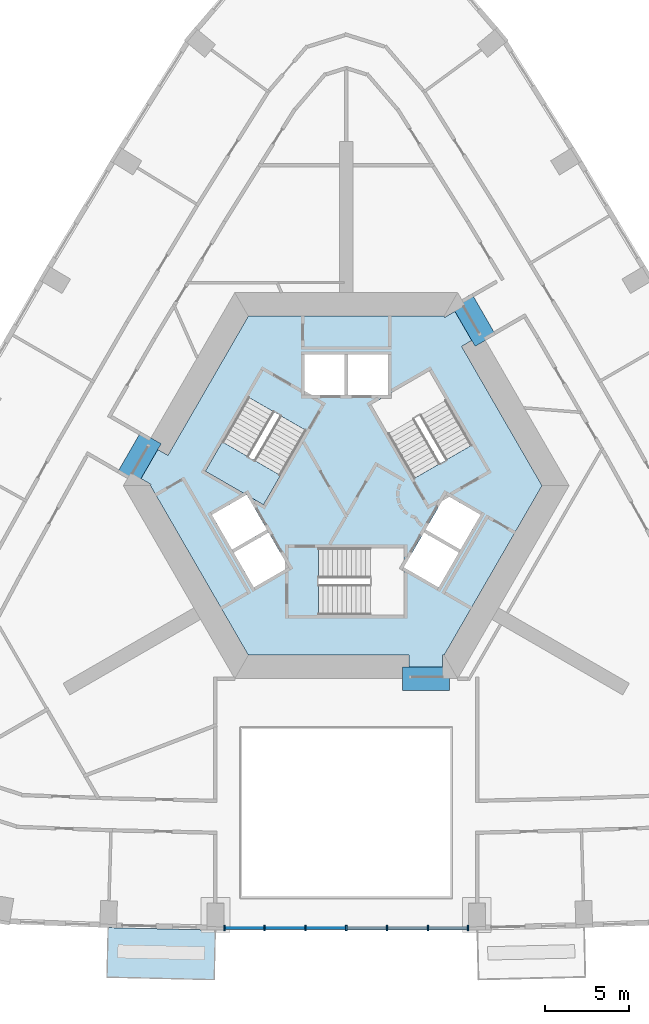
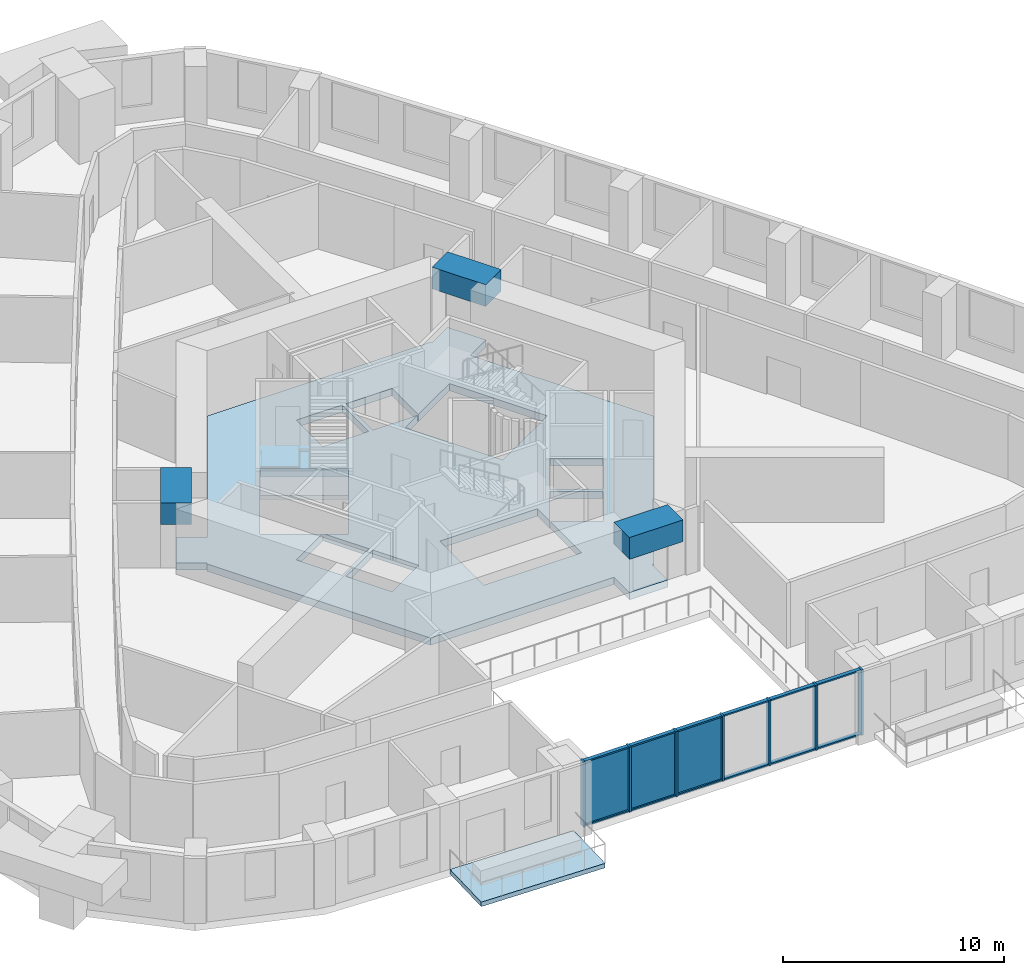
# One storey, part 2 of 13: 19 members, 3 beams, 3 plates, 3 slabs, 2 elements without a shape of their own.
"""IFC4 building model written with IfcOpenShell, lengths in metres."""

import ifcopenshell
import ifcopenshell.guid

model = None  # the IFC model being written
_history = None  # IfcOwnerHistory: only IFC2X3 demands one
_inside = {}  # id of a spatial element -> (the spatial element, [elements in it])
_under = {}  # id of a project, library or spatial element -> (it, [spatial elements below it])
_declared = {}  # id of a project -> (the project, [libraries it declares])
_typed = {}  # id of a type object -> (the type object, [elements of that type])
_made_of = {}  # id of a material, layer set ... -> (it, [elements and type objects made of it])


def new_model(schema):
    """Start an empty IFC model of exactly this schema.

    Asked for "IFC4X3", IfcOpenShell would pick the latest addendum, in which some entities
    have other attributes; the version numbers below select the first issue.
    IFC2X3 requires an IfcOwnerHistory on every rooted entity: one is made here for all.
    """
    global model, _history
    if schema == "IFC4X3":
        model = ifcopenshell.file(schema_version=(4, 3, 0, 0))
    else:
        model = ifcopenshell.file(schema=schema)
    _inside.clear()
    _under.clear()
    _declared.clear()
    _typed.clear()
    _made_of.clear()
    _history = None
    if model.schema == "IFC2X3":
        org = make("IfcOrganization", Name="unknown")
        user = make(
            "IfcPersonAndOrganization",
            ThePerson=make("IfcPerson", FamilyName="unknown"),
            TheOrganization=org,
        )
        app = make(
            "IfcApplication",
            ApplicationDeveloper=org,
            Version="unknown",
            ApplicationFullName="unknown",
            ApplicationIdentifier="unknown",
        )
        _history = make(
            "IfcOwnerHistory",
            OwningUser=user,
            OwningApplication=app,
            ChangeAction="ADDED",
            CreationDate=0,
        )
    return model


def make(cls, **values):
    """One entity of the class cls with the attributes given. An attribute that is None is left unset."""
    return model.create_entity(
        cls, **{name: value for name, value in values.items() if value is not None}
    )


def rooted(cls, **values):
    """An entity with a GlobalId (a new one), such as an element, a storey or a relation."""
    return make(cls, GlobalId=ifcopenshell.guid.new(), OwnerHistory=_history, **values)


def si_unit(unit_type, name, prefix=None):
    """IfcSIUnit, for example si_unit("LENGTHUNIT", "METRE", prefix="MILLI")."""
    return make("IfcSIUnit", UnitType=unit_type, Prefix=prefix, Name=name)


def assignment(units):
    """IfcUnitAssignment: the units of a project."""
    return None if units is None else make("IfcUnitAssignment", Units=units)


def point(xyz):
    """IfcCartesianPoint."""
    return None if xyz is None else make("IfcCartesianPoint", Coordinates=xyz)


def direction(xyz):
    """IfcDirection."""
    return None if xyz is None else make("IfcDirection", DirectionRatios=xyz)


def frame(location, z_axis=None, x_axis=None):
    """IfcAxis2Placement3D, a coordinate frame: its origin and axes. An axis left out is left unset."""
    return make(
        "IfcAxis2Placement3D",
        Location=point(location),
        Axis=direction(z_axis),
        RefDirection=direction(x_axis),
    )


def frame_2d(location, x_axis=None):
    """IfcAxis2Placement2D, a coordinate frame in the plane: its origin and x axis."""
    return make(
        "IfcAxis2Placement2D", Location=point(location), RefDirection=direction(x_axis)
    )


def origin():
    """The frame at (0, 0, 0) with its axes left unset."""
    return frame((0.0, 0.0, 0.0))


def origin_2d():
    """The frame at (0, 0) in the plane with its x axis left unset."""
    return frame_2d((0.0, 0.0))


def place(relative_to, where):
    """IfcLocalPlacement: puts the frame where relative to a parent placement (None: the world)."""
    return make(
        "IfcLocalPlacement", PlacementRelTo=relative_to, RelativePlacement=where
    )


def context(
    kind, dimensions, precision=None, world=None, true_north=None, identifier=None
):
    """IfcGeometricRepresentationContext, for example the 3D "Model" context."""
    return make(
        "IfcGeometricRepresentationContext",
        ContextIdentifier=identifier,
        ContextType=kind,
        CoordinateSpaceDimension=dimensions,
        Precision=precision,
        WorldCoordinateSystem=world,
        TrueNorth=true_north,
    )


def subcontext(parent, identifier, kind, view, scale=None):
    """IfcGeometricRepresentationSubContext, for example "Body" below "Model"."""
    return make(
        "IfcGeometricRepresentationSubContext",
        ContextIdentifier=identifier,
        ContextType=kind,
        ParentContext=parent,
        TargetScale=scale,
        TargetView=view,
    )


def project(units=None, contexts=None):
    """IfcProject with its units and contexts."""
    return rooted(
        "IfcProject",
        Name="project",
        RepresentationContexts=contexts,
        UnitsInContext=assignment(units),
    )


def spatial(cls, under=None, at=None, **own):
    """A site, building, storey or space (cls), placed at a placement, below another one or the project."""
    s = rooted(cls, ObjectPlacement=at, **own)
    if under is not None:
        _under.setdefault(under.id(), (under, []))[1].append(s)
    return s


def polyline(points):
    """IfcPolyline through the points."""
    return make("IfcPolyline", Points=[point(p) for p in points])


def profile(cls, at=None, kind="AREA", **sizes):
    """A parametric profile (cls). Its sizes go by their IFC names, for example OverallWidth=200.0."""
    return make(cls, ProfileType=kind, Position=at, **sizes)


def rectangle(**sizes):
    """IfcRectangleProfileDef."""
    return profile("IfcRectangleProfileDef", **sizes)


def outline(outer, holes=None, kind="AREA"):
    """IfcArbitraryClosedProfileDef: a profile drawn as a closed curve; with holes, ...WithVoids."""
    if holes is None:
        return make("IfcArbitraryClosedProfileDef", ProfileType=kind, OuterCurve=outer)
    return make(
        "IfcArbitraryProfileDefWithVoids",
        ProfileType=kind,
        OuterCurve=outer,
        InnerCurves=holes,
    )


def extrude(swept, where, along, depth):
    """IfcExtrudedAreaSolid: the profile swept, set in the frame where, extruded along a direction by depth."""
    return make(
        "IfcExtrudedAreaSolid",
        SweptArea=swept,
        Position=where,
        ExtrudedDirection=direction(along),
        Depth=depth,
    )


def shape(context_of_items, identifier, shape_type, items):
    """IfcShapeRepresentation: the items that make up one representation, for example the "Body"."""
    return make(
        "IfcShapeRepresentation",
        ContextOfItems=context_of_items,
        RepresentationIdentifier=identifier,
        RepresentationType=shape_type,
        Items=items,
    )


def material(Name=None, Category=None):
    """IfcMaterial."""
    return make("IfcMaterial", Name=Name, Category=Category)


def layer(
    of_material, thickness, ventilated=None, Name=None, Category=None, Priority=None
):
    """IfcMaterialLayer: one layer of a wall or slab, of a material (None: an air gap)."""
    return make(
        "IfcMaterialLayer",
        Material=of_material,
        LayerThickness=thickness,
        IsVentilated=ventilated,
        Name=Name,
        Category=Category,
        Priority=Priority,
    )


def layer_set(layers, Name=None):
    """IfcMaterialLayerSet."""
    return make("IfcMaterialLayerSet", MaterialLayers=layers, LayerSetName=Name)


def material_profile(
    of_material, cross_section, Name=None, Category=None, Priority=None
):
    """IfcMaterialProfile: a cross section and its material."""
    return make(
        "IfcMaterialProfile",
        Name=Name,
        Material=of_material,
        Profile=cross_section,
        Priority=Priority,
        Category=Category,
    )


def profile_set(profiles, Name=None, composite=None):
    """IfcMaterialProfileSet."""
    return make(
        "IfcMaterialProfileSet",
        Name=Name,
        MaterialProfiles=profiles,
        CompositeProfile=composite,
    )


def made_of(thing, what):
    """Note that an element or type object is made of a material, layer set ...; save() writes the relation."""
    if what is not None:
        _made_of.setdefault(what.id(), (what, []))[1].append(thing)
    return thing


def type_object(cls, material=None, **own):
    """A type object (cls), such as IfcWallType, which elements share."""
    return made_of(rooted(cls, **own), material)


def element(
    cls,
    number,
    at=None,
    inside=None,
    cuts=None,
    type_object=None,
    material=None,
    context=None,
    identifier="Body",
    shape_type=None,
    held_by="IfcProductDefinitionShape",
    body=None,
    shapes=None,
    **own,
):
    """One element of the class cls, such as IfcWall. Its Tag is "e" and its number.

    at: its placement. inside: the storey or other place that contains it. cuts: it is an
    opening in that element (IfcRelVoidsElement). A single representation is given by context,
    identifier, shape_type and body (its items); several are given by shapes. held_by: the class
    of the entity that holds the representations. save() writes the other relations.
    """
    e = rooted(cls, Tag="e%d" % number, ObjectPlacement=at, **own)
    if body is not None:
        shapes = [shape(context, identifier, shape_type, body)]
    if shapes is not None:
        e.Representation = make(held_by, Representations=shapes)
    if inside is not None:
        _inside.setdefault(inside.id(), (inside, []))[1].append(e)
    if cuts is not None:
        rooted(
            "IfcRelVoidsElement", RelatingBuildingElement=cuts, RelatedOpeningElement=e
        )
    if type_object is not None:
        _typed.setdefault(type_object.id(), (type_object, []))[1].append(e)
    return made_of(e, material)


def aggregate(whole, parts):
    """IfcRelAggregates: a whole, such as a stair, and the parts it consists of."""
    return rooted("IfcRelAggregates", RelatingObject=whole, RelatedObjects=parts)


def save(model, path):
    """Write the relations noted so far, then the file.

    IfcRelAggregates (storeys below a building ...), IfcRelContainedInSpatialStructure (elements
    in a storey), IfcRelDefinesByType, IfcRelAssociatesMaterial and IfcRelDeclares: one each for
    every whole, place, type object, material and project.
    """
    for whole, parts in _under.values():
        aggregate(whole, parts)
    for where, things in _inside.values():
        rooted(
            "IfcRelContainedInSpatialStructure",
            RelatedElements=things,
            RelatingStructure=where,
        )
    for kind, things in _typed.values():
        rooted("IfcRelDefinesByType", RelatedObjects=things, RelatingType=kind)
    for what, things in _made_of.values():
        rooted("IfcRelAssociatesMaterial", RelatedObjects=things, RelatingMaterial=what)
    for by, libraries in _declared.values():
        rooted("IfcRelDeclares", RelatingContext=by, RelatedDefinitions=libraries)
    model.write(path)


model = new_model("IFC4")

# Units and contexts
model_context = context("Model", 3, precision=1e-05, world=origin(), true_north=direction((0.0, 1.0)))
body_context = subcontext(model_context, "Body", "Model", "MODEL_VIEW")
ifc_project = project(units=[si_unit("LENGTHUNIT", "METRE"), si_unit("AREAUNIT", "SQUARE_METRE"), si_unit("VOLUMEUNIT", "CUBIC_METRE"), si_unit("PLANEANGLEUNIT", "RADIAN"), si_unit("MASSUNIT", "GRAM", prefix="KILO")], contexts=[model_context])

# Site, building, storey
site_placement = place(None, origin())
site = spatial("IfcSite", under=ifc_project, at=site_placement, CompositionType="ELEMENT")
building_placement = place(site_placement, origin())
building = spatial("IfcBuilding", under=site, at=building_placement, Name="Entoto Arch Interchange Tower", CompositionType="ELEMENT")
storey_placement = place(building_placement, frame((0.0, 0.0, 231.800048828125)))
storey = spatial("IfcBuildingStorey", under=building, at=storey_placement, Name="L52", CompositionType="ELEMENT", Elevation=231.800048828125)

# Beams
ifc_material_1 = material(Name="Concrete C50/60", Category="concrete")
ifc_material_profile_1 = material_profile(ifc_material_1, rectangle(XDim=1.39990234375, YDim=1.199951171875, at=origin_2d()))
ifc_profile_set_1 = profile_set([ifc_material_profile_1], Name="Concrete C50/60")
beam_type = type_object("IfcBeamType", Name="Coupling beam RC 1400x1200 C50/60", PredefinedType="BEAM", material=ifc_profile_set_1)
for number, where, z_axis, x_axis, name in (
    (1, (8.283935546875, 11.152099609375, 3.0), (-0.500135180047, 0.865947343479, 0.0), (-0.865947343479, -0.500135180047, 0.0), "Coupling beam NE L52"),
    (2, (-11.634033203125, 5.347900390625, 3.0), (-0.500135180047, -0.865947343479, 0.0), (0.865947343479, -0.500135180047, 0.0), "Coupling beam NW L52"),
):
    element("IfcBeam", number, at=place(storey_placement, frame(where, z_axis=z_axis, x_axis=x_axis)), inside=storey, type_object=beam_type, Name=name, PredefinedType="BEAM", context=body_context, shape_type="SweptSolid", body=[
        extrude(rectangle(XDim=1.39990234375, YDim=1.199951171875, at=origin_2d()), origin(), (0.0, 0.0, 1.0), 2.799072265625),
    ])
beam_placement = place(storey_placement, frame((3.35009765625, -9.0, 3.0), z_axis=(1.0, 0.0, 0.0), x_axis=(0.0, 1.0, 0.0)))
element("IfcBeam", 3, at=beam_placement, inside=storey, type_object=beam_type, Name="Coupling beam S L52", PredefinedType="BEAM", context=body_context, shape_type="SweptSolid", body=[
    extrude(rectangle(XDim=1.39990234375, YDim=1.199951171875, at=origin_2d()), origin(), (0.0, 0.0, 1.0), 2.7998046875),
])

# Curtain wall, members
ifc_material_2 = material(Name="Aluminium, anodised", Category="aluminium")
curtain_wall_type = type_object("IfcCurtainWallType", Name="CURTAIN WALL ATRIUM", PredefinedType="NOTDEFINED", material=ifc_material_2)
curtain_wall_placement = place(storey_placement, origin())
curtain_wall = element("IfcCurtainWall", 4, at=curtain_wall_placement, inside=storey, type_object=curtain_wall_type, Name="Atrium glazing S-03 L52", PredefinedType="NOTDEFINED")
ifc_material_profile_2 = material_profile(ifc_material_2, rectangle(XDim=0.300048828125, YDim=0.10009765625, at=origin_2d()))
ifc_profile_set_2 = profile_set([ifc_material_profile_2], Name="Aluminium, anodised")
member_type_1 = type_object("IfcMemberType", Name="MULLION ATRIUM 100x300", PredefinedType="MULLION", material=ifc_profile_set_2)
member_1_placement = place(storey_placement, frame((-7.2490234375, -23.85302734375, 0.0), z_axis=(0.0, 0.0, 1.0), x_axis=(0.0, 1.0, 0.0)))
member_1 = element("IfcMember", 5, at=member_1_placement, type_object=member_type_1, Name="CWA mullion 1", PredefinedType="MULLION", context=body_context, shape_type="SweptSolid", body=[
    extrude(rectangle(XDim=0.300048828125, YDim=0.10009765625, at=origin_2d()), origin(), (0.0, 0.0, 1.0), 3.599853515625),
])
member_2_placement = place(storey_placement, frame((-4.865966796875, -23.85302734375, 0.0), z_axis=(0.0, 0.0, 1.0), x_axis=(0.0, 1.0, 0.0)))
member_2 = element("IfcMember", 6, at=member_2_placement, type_object=member_type_1, Name="CWA mullion 2", PredefinedType="MULLION", context=body_context, shape_type="SweptSolid", body=[
    extrude(rectangle(XDim=0.300048828125, YDim=0.10009765625, at=origin_2d()), origin(), (0.0, 0.0, 1.0), 3.599853515625),
])
member_3_placement = place(storey_placement, frame((-2.43310546875, -23.85302734375, 0.0), z_axis=(0.0, 0.0, 1.0), x_axis=(0.0, 1.0, 0.0)))
member_3 = element("IfcMember", 7, at=member_3_placement, type_object=member_type_1, Name="CWA mullion 3", PredefinedType="MULLION", context=body_context, shape_type="SweptSolid", body=[
    extrude(rectangle(XDim=0.300048828125, YDim=0.10009765625, at=origin_2d()), origin(), (0.0, 0.0, 1.0), 3.599853515625),
])
member_4_placement = place(storey_placement, frame((0.0, -23.85302734375, 0.0), z_axis=(0.0, 0.0, 1.0), x_axis=(0.0, 1.0, 0.0)))
member_4 = element("IfcMember", 8, at=member_4_placement, type_object=member_type_1, Name="CWA mullion 4", PredefinedType="MULLION", context=body_context, shape_type="SweptSolid", body=[
    extrude(rectangle(XDim=0.300048828125, YDim=0.10009765625, at=origin_2d()), origin(), (0.0, 0.0, 1.0), 3.599853515625),
])
member_5_placement = place(storey_placement, frame((2.43310546875, -23.85302734375, 0.0), z_axis=(0.0, 0.0, 1.0), x_axis=(0.0, 1.0, 0.0)))
member_5 = element("IfcMember", 9, at=member_5_placement, type_object=member_type_1, Name="CWA mullion 5", PredefinedType="MULLION", context=body_context, shape_type="SweptSolid", body=[
    extrude(rectangle(XDim=0.300048828125, YDim=0.10009765625, at=origin_2d()), origin(), (0.0, 0.0, 1.0), 3.599853515625),
])
member_6_placement = place(storey_placement, frame((4.865966796875, -23.85302734375, 0.0), z_axis=(0.0, 0.0, 1.0), x_axis=(0.0, 1.0, 0.0)))
member_6 = element("IfcMember", 10, at=member_6_placement, type_object=member_type_1, Name="CWA mullion 6", PredefinedType="MULLION", context=body_context, shape_type="SweptSolid", body=[
    extrude(rectangle(XDim=0.300048828125, YDim=0.10009765625, at=origin_2d()), origin(), (0.0, 0.0, 1.0), 3.599853515625),
])
member_7_placement = place(storey_placement, frame((7.2490234375, -23.85302734375, 0.0), z_axis=(0.0, 0.0, 1.0), x_axis=(0.0, 1.0, 0.0)))
member_7 = element("IfcMember", 11, at=member_7_placement, type_object=member_type_1, Name="CWA mullion 7", PredefinedType="MULLION", context=body_context, shape_type="SweptSolid", body=[
    extrude(rectangle(XDim=0.300048828125, YDim=0.10009765625, at=origin_2d()), origin(), (0.0, 0.0, 1.0), 3.599853515625),
])
ifc_material_profile_3 = material_profile(ifc_material_2, rectangle(XDim=0.199951171875, YDim=0.080078125, at=origin_2d()))
ifc_profile_set_3 = profile_set([ifc_material_profile_3], Name="Aluminium, anodised")
member_type_2 = type_object("IfcMemberType", Name="TRANSOM ATRIUM 80x200", PredefinedType="USERDEFINED", material=ifc_profile_set_3)
member_8_placement = place(storey_placement, frame((-7.198974609375, -23.85302734375, 0.0400390625), z_axis=(1.0, 0.0, 0.0), x_axis=(0.0, 1.0, 0.0)))
member_8 = element("IfcMember", 12, at=member_8_placement, type_object=member_type_2, Name="CWA transom 1.1", ObjectType="TRANSOM", PredefinedType="USERDEFINED", context=body_context, shape_type="SweptSolid", body=[
    extrude(rectangle(XDim=0.199951171875, YDim=0.080078125, at=origin_2d()), origin(), (0.0, 0.0, 1.0), 2.282958984375),
])
member_9_placement = place(storey_placement, frame((-7.198974609375, -23.85302734375, 3.56005859375), z_axis=(1.0, 0.0, 0.0), x_axis=(0.0, 1.0, 0.0)))
member_9 = element("IfcMember", 13, at=member_9_placement, type_object=member_type_2, Name="CWA transom 1.2", ObjectType="TRANSOM", PredefinedType="USERDEFINED", context=body_context, shape_type="SweptSolid", body=[
    extrude(rectangle(XDim=0.199951171875, YDim=0.080078125, at=origin_2d()), origin(), (0.0, 0.0, 1.0), 2.282958984375),
])
member_10_placement = place(storey_placement, frame((-4.81591796875, -23.85302734375, 0.0400390625), z_axis=(1.0, 0.0, 0.0), x_axis=(0.0, 1.0, 0.0)))
member_10 = element("IfcMember", 14, at=member_10_placement, type_object=member_type_2, Name="CWA transom 2.1", ObjectType="TRANSOM", PredefinedType="USERDEFINED", context=body_context, shape_type="SweptSolid", body=[
    extrude(rectangle(XDim=0.199951171875, YDim=0.080078125, at=origin_2d()), origin(), (0.0, 0.0, 1.0), 2.3330078125),
])
member_11_placement = place(storey_placement, frame((-4.81591796875, -23.85302734375, 3.56005859375), z_axis=(1.0, 0.0, 0.0), x_axis=(0.0, 1.0, 0.0)))
member_11 = element("IfcMember", 15, at=member_11_placement, type_object=member_type_2, Name="CWA transom 2.2", ObjectType="TRANSOM", PredefinedType="USERDEFINED", context=body_context, shape_type="SweptSolid", body=[
    extrude(rectangle(XDim=0.199951171875, YDim=0.080078125, at=origin_2d()), origin(), (0.0, 0.0, 1.0), 2.3330078125),
])
member_12_placement = place(storey_placement, frame((-2.383056640625, -23.85302734375, 0.0400390625), z_axis=(1.0, 0.0, 0.0), x_axis=(0.0, 1.0, 0.0)))
member_12 = element("IfcMember", 16, at=member_12_placement, type_object=member_type_2, Name="CWA transom 3.1", ObjectType="TRANSOM", PredefinedType="USERDEFINED", context=body_context, shape_type="SweptSolid", body=[
    extrude(rectangle(XDim=0.199951171875, YDim=0.080078125, at=origin_2d()), origin(), (0.0, 0.0, 1.0), 2.3330078125),
])
member_13_placement = place(storey_placement, frame((-2.383056640625, -23.85302734375, 3.56005859375), z_axis=(1.0, 0.0, 0.0), x_axis=(0.0, 1.0, 0.0)))
member_13 = element("IfcMember", 17, at=member_13_placement, type_object=member_type_2, Name="CWA transom 3.2", ObjectType="TRANSOM", PredefinedType="USERDEFINED", context=body_context, shape_type="SweptSolid", body=[
    extrude(rectangle(XDim=0.199951171875, YDim=0.080078125, at=origin_2d()), origin(), (0.0, 0.0, 1.0), 2.3330078125),
])
member_14_placement = place(storey_placement, frame((0.050048828125, -23.85302734375, 0.0400390625), z_axis=(1.0, 0.0, 0.0), x_axis=(0.0, 1.0, 0.0)))
member_14 = element("IfcMember", 18, at=member_14_placement, type_object=member_type_2, Name="CWA transom 4.1", ObjectType="TRANSOM", PredefinedType="USERDEFINED", context=body_context, shape_type="SweptSolid", body=[
    extrude(rectangle(XDim=0.199951171875, YDim=0.080078125, at=origin_2d()), origin(), (0.0, 0.0, 1.0), 2.3330078125),
])
member_15_placement = place(storey_placement, frame((0.050048828125, -23.85302734375, 3.56005859375), z_axis=(1.0, 0.0, 0.0), x_axis=(0.0, 1.0, 0.0)))
member_15 = element("IfcMember", 19, at=member_15_placement, type_object=member_type_2, Name="CWA transom 4.2", ObjectType="TRANSOM", PredefinedType="USERDEFINED", context=body_context, shape_type="SweptSolid", body=[
    extrude(rectangle(XDim=0.199951171875, YDim=0.080078125, at=origin_2d()), origin(), (0.0, 0.0, 1.0), 2.3330078125),
])
member_16_placement = place(storey_placement, frame((2.48291015625, -23.85302734375, 0.0400390625), z_axis=(1.0, 0.0, 0.0), x_axis=(0.0, 1.0, 0.0)))
member_16 = element("IfcMember", 20, at=member_16_placement, type_object=member_type_2, Name="CWA transom 5.1", ObjectType="TRANSOM", PredefinedType="USERDEFINED", context=body_context, shape_type="SweptSolid", body=[
    extrude(rectangle(XDim=0.199951171875, YDim=0.080078125, at=origin_2d()), origin(), (0.0, 0.0, 1.0), 2.3330078125),
])
member_17_placement = place(storey_placement, frame((2.48291015625, -23.85302734375, 3.56005859375), z_axis=(1.0, 0.0, 0.0), x_axis=(0.0, 1.0, 0.0)))
member_17 = element("IfcMember", 21, at=member_17_placement, type_object=member_type_2, Name="CWA transom 5.2", ObjectType="TRANSOM", PredefinedType="USERDEFINED", context=body_context, shape_type="SweptSolid", body=[
    extrude(rectangle(XDim=0.199951171875, YDim=0.080078125, at=origin_2d()), origin(), (0.0, 0.0, 1.0), 2.3330078125),
])
member_18_placement = place(storey_placement, frame((4.916015625, -23.85302734375, 0.0400390625), z_axis=(1.0, 0.0, 0.0), x_axis=(0.0, 1.0, 0.0)))
member_18 = element("IfcMember", 22, at=member_18_placement, type_object=member_type_2, Name="CWA transom 6.1", ObjectType="TRANSOM", PredefinedType="USERDEFINED", context=body_context, shape_type="SweptSolid", body=[
    extrude(rectangle(XDim=0.199951171875, YDim=0.080078125, at=origin_2d()), origin(), (0.0, 0.0, 1.0), 2.282958984375),
])
member_19_placement = place(storey_placement, frame((4.916015625, -23.85302734375, 3.56005859375), z_axis=(1.0, 0.0, 0.0), x_axis=(0.0, 1.0, 0.0)))
member_19 = element("IfcMember", 23, at=member_19_placement, type_object=member_type_2, Name="CWA transom 6.2", ObjectType="TRANSOM", PredefinedType="USERDEFINED", context=body_context, shape_type="SweptSolid", body=[
    extrude(rectangle(XDim=0.199951171875, YDim=0.080078125, at=origin_2d()), origin(), (0.0, 0.0, 1.0), 2.282958984375),
])

# Slabs
ifc_material_3 = material(Name="Board-marked precast concrete C50/60", Category="concrete")
ifc_layer_1 = layer(ifc_material_3, 0.25)
ifc_layer_set_1 = layer_set([ifc_layer_1], Name="Board-marked precast concrete C50/60")
slab_type_1 = type_object("IfcSlabType", Name="BALCONY DECK PRECAST 250", PredefinedType="FLOOR", material=ifc_layer_set_1)
slab_1_placement = place(storey_placement, frame((0.0, 0.0, -0.25)))
element("IfcSlab", 24, at=slab_1_placement, inside=storey, type_object=slab_type_1, Name="Planted balcony S-02 L52", PredefinedType="FLOOR", context=body_context, shape_type="SweptSolid", body=[
    extrude(outline(polyline([(-14.18505859375, -23.830078125), (-7.800048828125, -23.97802734375), (-7.867919921875, -26.927001953125), (-14.2529296875, -26.779052734375), (-14.18505859375, -23.830078125)])), origin(), (0.0, 0.0, 1.0), 0.25),
])
ifc_material_4 = material(Name="Concrete C40/50", Category="concrete")
ifc_layer_2 = layer(ifc_material_4, 0.39990234375)
ifc_layer_set_2 = layer_set([ifc_layer_2], Name="Concrete C40/50")
slab_type_2 = type_object("IfcSlabType", Name="Core floor slab 400 C40/50", PredefinedType="FLOOR", material=ifc_layer_set_2)
slab_2_placement = place(storey_placement, frame((0.0, 0.0, -0.400146484375)))
element("IfcSlab", 25, at=slab_2_placement, inside=storey, type_object=slab_type_2, Name="Core floor slab L52", PredefinedType="FLOOR", context=body_context, shape_type="SweptSolid", body=[
    extrude(outline(polyline([(5.75, -9.0), (3.75, -9.0), (3.75, -7.60009765625), (-5.8310546875, -7.60009765625), (-11.662109375, 2.5), (-11.6220703125, 2.570068359375), (-12.833984375, 3.27001953125), (-11.833984375, 5.001953125), (-10.6220703125, 4.302001953125), (-5.8310546875, 12.60009765625), (5.8310546875, 12.60009765625), (5.87109375, 12.530029296875), (7.083984375, 13.22998046875), (8.083984375, 11.498046875), (6.87109375, 10.798095703125), (11.662109375, 2.5), (5.8310546875, -7.60009765625), (5.75, -7.60009765625), (5.75, -9.0)]), holes=[polyline([(-1.64990234375, -5.199951171875), (3.449951171875, -5.199951171875), (3.449951171875, -2.3779296875), (5.5048828125, -3.56494140625), (6.705078125, -1.487060546875), (4.626953125, -0.287109375), (3.449951171875, -2.324951171875), (3.449951171875, -1.199951171875), (-1.64990234375, -1.199951171875), (-1.64990234375, -5.199951171875)]), polyline([(-4.626953125, -0.287109375), (-6.705078125, -1.487060546875), (-5.5048828125, -3.56494140625), (-3.427001953125, -2.364990234375), (-4.626953125, -0.287109375)]), polyline([(-5.904052734375, 1.925048828125), (-4.928955078125, 1.362060546875), (-2.37890625, 5.779052734375), (-5.843017578125, 7.779052734375), (-8.39306640625, 3.362060546875), (-5.949951171875, 1.951904296875), (-8.0048828125, 0.764892578125), (-6.804931640625, -1.31298828125), (-4.72705078125, -0.113037109375), (-5.904052734375, 1.925048828125)]), polyline([(4.72705078125, -0.113037109375), (6.804931640625, -1.31298828125), (8.0048828125, 0.764892578125), (5.927001953125, 1.965087890625), (4.72705078125, -0.113037109375)]), polyline([(2.5, 7.927001953125), (2.5, 10.300048828125), (0.10009765625, 10.300048828125), (0.10009765625, 7.89990234375), (2.452880859375, 7.89990234375), (1.47900390625, 7.337890625), (4.029052734375, 2.9208984375), (7.492919921875, 4.9208984375), (4.943115234375, 9.337890625), (2.5, 7.927001953125)]), polyline([(-2.5, 7.89990234375), (-0.10009765625, 7.89990234375), (-0.10009765625, 10.300048828125), (-2.5, 10.300048828125), (-2.5, 7.89990234375)])]), origin(), (0.0, 0.0, 1.0), 0.400146484375),
])

# Stair, slab
stair_type = type_object("IfcStairType", Name="EXIT STAIR RC 1800", PredefinedType="HALF_TURN_STAIR", material=ifc_material_4)
stair_placement = place(storey_placement, origin())
stair = element("IfcStair", 26, at=stair_placement, inside=storey, type_object=stair_type, Name="L52 Exit stair NW", PredefinedType="HALF_TURN_STAIR")
ifc_layer_3 = layer(ifc_material_4, 0.199951171875)
ifc_layer_set_3 = layer_set([ifc_layer_3], Name="Concrete C40/50")
slab_type_3 = type_object("IfcSlabType", Name="EXIT STAIR LANDING RC 200", PredefinedType="LANDING", material=ifc_layer_set_3)
slab_3_placement = place(storey_placement, frame((0.0, 0.0, 1.89990234375)))
slab_3 = element("IfcSlab", 27, at=slab_3_placement, type_object=slab_type_3, Name="ST-NW landing 1", PredefinedType="LANDING", context=body_context, shape_type="SweptSolid", body=[
    extrude(outline(polyline([(-7.38330078125, 5.111572265625), (-8.393310546875, 3.3623046875), (-4.92919921875, 1.3623046875), (-3.919189453125, 3.111572265625), (-7.38330078125, 5.111572265625)])), origin(), (0.0, 0.0, 1.0), 0.199951171875),
])
aggregate(stair, [slab_3])

# Plate
ifc_material_5 = material(Name="Clear glass, low-e double glazed", Category="glass")
ifc_layer_4 = layer(ifc_material_5, 0.031982421875)
ifc_layer_set_4 = layer_set([ifc_layer_4], Name="Clear glass, low-e double glazed")
plate_type = type_object("IfcPlateType", Name="GLAZING PANEL ATRIUM 32", PredefinedType="CURTAIN_PANEL", material=ifc_layer_set_4)
plate_1_placement = place(storey_placement, frame((-6.0576171875, -23.85302734375, 0.080078125), z_axis=(0.0, 0.0, 1.0), x_axis=(1.0, 0.0, 0.0)))
plate_1 = element("IfcPlate", 28, at=plate_1_placement, type_object=plate_type, Name="CWA panel 1.1", PredefinedType="CURTAIN_PANEL", context=body_context, shape_type="SweptSolid", body=[
    extrude(rectangle(XDim=2.282958984375, YDim=0.031982421875, at=origin_2d()), origin(), (0.0, 0.0, 1.0), 3.43994140625),
])

plate_2_placement = place(storey_placement, frame((-3.6494140625, -23.85302734375, 0.080078125), z_axis=(0.0, 0.0, 1.0), x_axis=(1.0, 0.0, 0.0)))
plate_2 = element("IfcPlate", 29, at=plate_2_placement, type_object=plate_type, Name="CWA panel 2.1", PredefinedType="CURTAIN_PANEL", context=body_context, shape_type="SweptSolid", body=[
    extrude(rectangle(XDim=2.3330078125, YDim=0.031982421875, at=origin_2d()), origin(), (0.0, 0.0, 1.0), 3.43994140625),
])

plate_3_placement = place(storey_placement, frame((-1.216552734375, -23.85302734375, 0.080078125), z_axis=(0.0, 0.0, 1.0), x_axis=(1.0, 0.0, 0.0)))
plate_3 = element("IfcPlate", 30, at=plate_3_placement, type_object=plate_type, Name="CWA panel 3.1", PredefinedType="CURTAIN_PANEL", context=body_context, shape_type="SweptSolid", body=[
    extrude(rectangle(XDim=2.3330078125, YDim=0.031982421875, at=origin_2d()), origin(), (0.0, 0.0, 1.0), 3.43994140625),
])

aggregate(curtain_wall, [member_1, member_2, member_3, member_4, member_5, member_6, member_7, member_8, member_9, plate_1, member_10, member_11, plate_2, member_12, member_13, plate_3, member_14, member_15, member_16, member_17, member_18, member_19])

save(model, "model.ifc")
